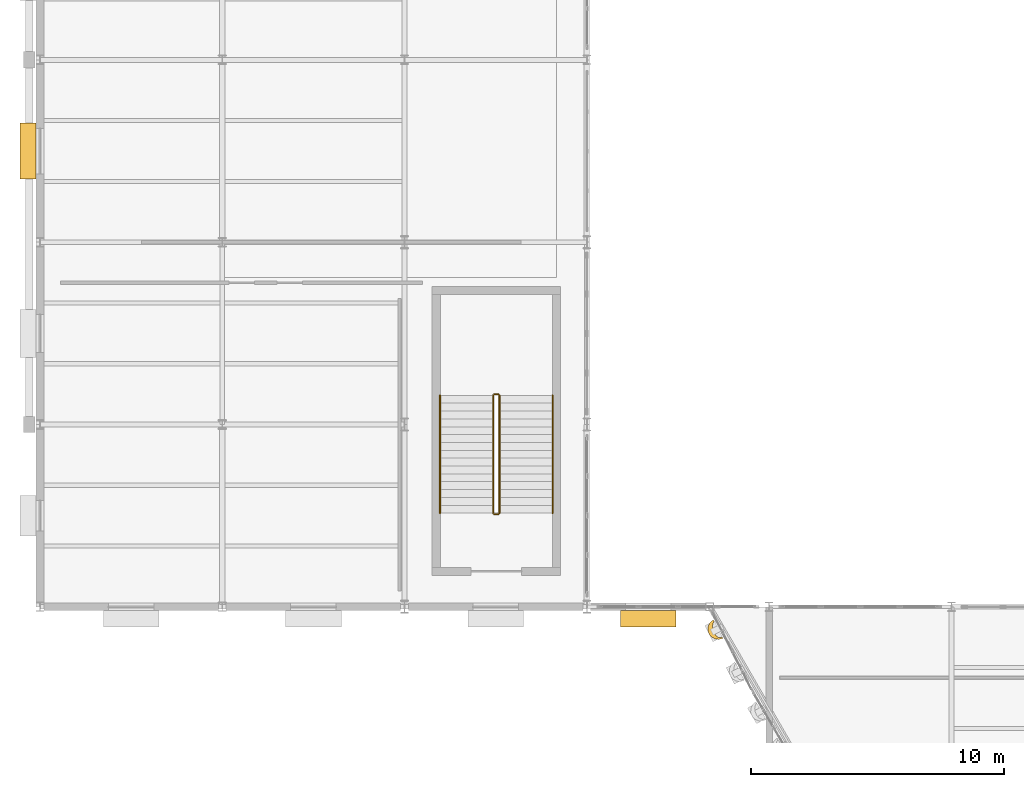
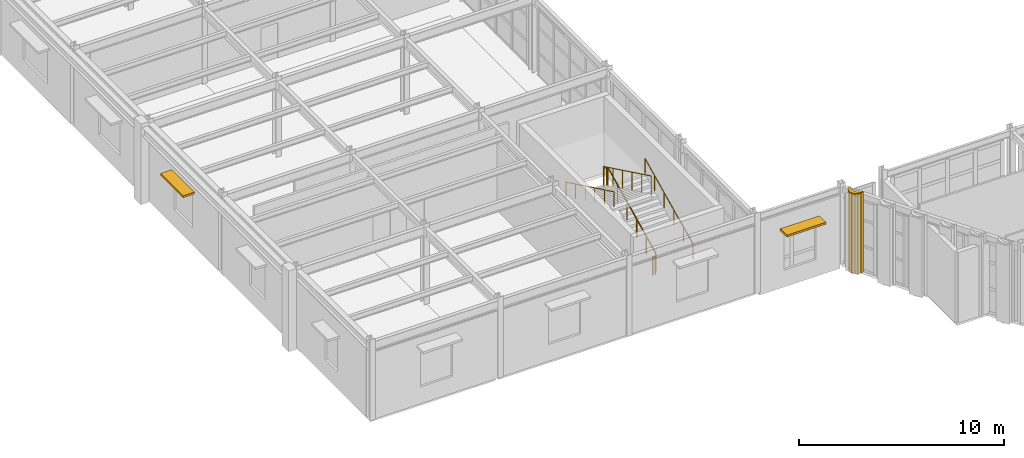
# One storey, part 108 of 121: 6 railings, 2 shading devices, 1 covering.
"""IFC4 building model written with IfcOpenShell, lengths in metres."""

from ifc_helpers import new_model, si_unit, direction, frame, origin, origin_2d, place, context, subcontext, project, spatial, polyline, rectangle, circle, outline, extrude, material, layer, layer_set, type_object, element, save


model = new_model("IFC4")

# Units and contexts
model_context = context("Model", 3, precision=1e-05, world=origin(), true_north=direction((0.0, 1.0)))
body_context = subcontext(model_context, "Body", "Model", "MODEL_VIEW")
ifc_project = project(units=[si_unit("LENGTHUNIT", "METRE"), si_unit("AREAUNIT", "SQUARE_METRE"), si_unit("VOLUMEUNIT", "CUBIC_METRE"), si_unit("PLANEANGLEUNIT", "RADIAN"), si_unit("MASSUNIT", "GRAM", prefix="KILO")], contexts=[model_context])

# Site, building, storey
site_placement = place(None, origin())
site = spatial("IfcSite", under=ifc_project, at=site_placement, CompositionType="ELEMENT")
building_placement = place(site_placement, origin())
building = spatial("IfcBuilding", under=site, at=building_placement, Name="Solvadek Multi-Sports Hall", CompositionType="ELEMENT")
storey_placement = place(building_placement, frame((0.0, 0.0, 4.800048828125)))
storey = spatial("IfcBuildingStorey", under=building, at=storey_placement, Name="L01", CompositionType="ELEMENT", Elevation=4.800048828125)

# Covering
ifc_material_1 = material(Name="Perforated champagne-bronze anodised aluminium", Category="aluminium")
ifc_layer = layer(ifc_material_1, 0.06494140625, Name="Perforated champagne-bronze anodised aluminium")
ifc_layer_set = layer_set([ifc_layer], Name="Perforated champagne-bronze anodised aluminium")
covering_type = type_object("IfcCoveringType", Name="ENV-COV-FLUTED", PredefinedType="CLADDING", material=ifc_layer_set)
covering_placement = place(storey_placement, frame((0.0, 0.0, 0.010009765625)))
element("IfcCovering", 1, at=covering_placement, inside=storey, type_object=covering_type, Name="L01 Perforated Bronze Half-Cylinder Fluted Shell #1", PredefinedType="CLADDING", context=body_context, shape_type="SweptSolid", body=[
    extrude(outline(polyline([(26.97216796875, 19.155517578125), (26.818115234375, 19.112548828125), (26.6591796875, 19.1318359375), (26.52001953125, 19.21044921875), (26.42138671875, 19.336181640625), (26.37841796875, 19.490478515625), (26.3974609375, 19.649169921875), (26.47607421875, 19.78857421875), (26.60205078125, 19.88720703125), (26.63134765625, 19.829345703125), (26.58349609375, 19.74609375), (26.56689453125, 19.62890625), (26.58349609375, 19.495361328125), (26.63134765625, 19.36572265625), (26.702880859375, 19.259765625), (26.787109375, 19.193603515625), (26.871337890625, 19.177490234375), (26.94287109375, 19.213623046875), (26.97216796875, 19.155517578125)])), origin(), (0.0, 0.0, 1.0), 4.77001953125),
])

# Shading devices
shading_device_type = type_object("IfcShadingDeviceType", Name="ENV-SHD-CHAJJA2", PredefinedType="JALOUSIE", material=ifc_material_1)
for number, where, z_axis, x_axis, name in (
    (2, (-0.469482421875, 38.39990234375, 3.119873046875), (0.0, 0.0, 1.0), (0.0, 1.0, 0.0), "L01 Chajja Solar Shading Hood #7"),
    (3, (24.02734375, 19.930419921875, 3.199951171875), (0.0, 0.0, 1.0), (1.0, 0.0, 0.0), "L01 Chajja Solar Shading Hood #54"),
):
    element("IfcShadingDevice", number, at=place(storey_placement, frame(where, z_axis=z_axis, x_axis=x_axis)), inside=storey, type_object=shading_device_type, Name=name, PredefinedType="JALOUSIE", context=body_context, shape_type="SweptSolid", body=[
        extrude(rectangle(XDim=2.199951171875, YDim=0.639892578125, at=origin_2d()), origin(), (0.0, 0.0, 1.0), 0.1201171875),
    ])

# Railings
ifc_material_2 = material(Name="Steel E250 (250 MPa)", Category="steel")
railing_type_1 = type_object("IfcRailingType", Name="INT-RAL-GRD115", PredefinedType="BALUSTRADE", material=ifc_material_2)
railing_1_placement = place(storey_placement, frame((18.14990234375, 24.10009765625, 0.14990234375)))
element("IfcRailing", 4, at=railing_1_placement, inside=storey, type_object=railing_type_1, Name="L01 ST-01 stair guard 1", PredefinedType="BALUSTRADE", context=body_context, shape_type="SweptSolid", body=[
    extrude(circle(Radius=0.02392578125, at=origin_2d()), frame((0.0, 0.0, 1.076171875), z_axis=(0.0, 0.900155664878, 0.435568340204), x_axis=(-1.0, 0.0, 0.0)), (0.0, 0.0, 1.0), 5.165771484375),
    extrude(circle(Radius=0.02099609375, at=origin_2d()), origin(), (0.0, 0.0, 1.0), 1.052001953125),
    extrude(circle(Radius=0.02099609375, at=origin_2d()), frame((0.0, 0.929931640625, 0.449951171875)), (0.0, 0.0, 1.0), 1.052001953125),
    extrude(circle(Radius=0.02099609375, at=origin_2d()), frame((0.0, 1.85986328125, 0.89990234375)), (0.0, 0.0, 1.0), 1.052001953125),
    extrude(circle(Radius=0.02099609375, at=origin_2d()), frame((0.0, 2.7900390625, 1.35009765625)), (0.0, 0.0, 1.0), 1.052001953125),
    extrude(circle(Radius=0.02099609375, at=origin_2d()), frame((0.0, 3.719970703125, 1.800048828125)), (0.0, 0.0, 1.0), 1.052001953125),
    extrude(circle(Radius=0.02099609375, at=origin_2d()), frame((0.0, 4.64990234375, 2.25)), (0.0, 0.0, 1.0), 1.052001953125),
])
railing_2_placement = place(storey_placement, frame((18.10009765625, 28.800048828125, 2.39990234375)))
element("IfcRailing", 5, at=railing_2_placement, inside=storey, type_object=railing_type_1, Name="L01 ST-01 stair guard 2", PredefinedType="BALUSTRADE", context=body_context, shape_type="SweptSolid", body=[
    extrude(circle(Radius=0.02392578125, at=origin_2d()), frame((0.0, 0.0, 1.076171875), z_axis=(-1.0, 0.0, 0.0), x_axis=(0.0, -1.0, 0.0)), (0.0, 0.0, 1.0), 0.150146484375),
    extrude(circle(Radius=0.02099609375, at=origin_2d()), origin(), (0.0, 0.0, 1.0), 1.052001953125),
    extrude(circle(Radius=0.02099609375, at=origin_2d()), frame((-0.150146484375, 0.0, 0.0)), (0.0, 0.0, 1.0), 1.052001953125),
])
railing_3_placement = place(storey_placement, frame((17.89990234375, 28.75, 2.550048828125)))
element("IfcRailing", 6, at=railing_3_placement, inside=storey, type_object=railing_type_1, Name="L01 ST-01 stair guard 3", PredefinedType="BALUSTRADE", context=body_context, shape_type="SweptSolid", body=[
    extrude(circle(Radius=0.02392578125, at=origin_2d()), frame((0.0, 0.0, 1.076171875), z_axis=(0.0, -0.900155664878, 0.435568340204), x_axis=(1.0, 0.0, 0.0)), (0.0, 0.0, 1.0), 5.165771484375),
    extrude(circle(Radius=0.02099609375, at=origin_2d()), origin(), (0.0, 0.0, 1.0), 1.052001953125),
    extrude(circle(Radius=0.02099609375, at=origin_2d()), frame((0.0, -0.929931640625, 0.449951171875)), (0.0, 0.0, 1.0), 1.052001953125),
    extrude(circle(Radius=0.02099609375, at=origin_2d()), frame((0.0, -1.85986328125, 0.89990234375)), (0.0, 0.0, 1.0), 1.052001953125),
    extrude(circle(Radius=0.02099609375, at=origin_2d()), frame((0.0, -2.7900390625, 1.35009765625)), (0.0, 0.0, 1.0), 1.052001953125),
    extrude(circle(Radius=0.02099609375, at=origin_2d()), frame((0.0, -3.719970703125, 1.800048828125)), (0.0, 0.0, 1.0), 1.052001953125),
    extrude(circle(Radius=0.02099609375, at=origin_2d()), frame((0.0, -4.64990234375, 2.25)), (0.0, 0.0, 1.0), 1.052001953125),
])
railing_4_placement = place(storey_placement, frame((18.10009765625, 24.050048828125, 0.0)))
element("IfcRailing", 7, at=railing_4_placement, inside=storey, type_object=railing_type_1, Name="L01 ST-01 stair guard 4", PredefinedType="BALUSTRADE", context=body_context, shape_type="SweptSolid", body=[
    extrude(circle(Radius=0.02392578125, at=origin_2d()), frame((0.0, 0.0, 1.076171875), z_axis=(-1.0, 0.0, 0.0), x_axis=(0.0, -1.0, 0.0)), (0.0, 0.0, 1.0), 0.150146484375),
    extrude(circle(Radius=0.02099609375, at=origin_2d()), origin(), (0.0, 0.0, 1.0), 1.052001953125),
    extrude(circle(Radius=0.02099609375, at=origin_2d()), frame((-0.150146484375, 0.0, 0.0)), (0.0, 0.0, 1.0), 1.052001953125),
])
railing_type_2 = type_object("IfcRailingType", Name="INT-RAL-HND090", PredefinedType="HANDRAIL", material=ifc_material_2)
railing_5_placement = place(storey_placement, frame((20.25, 24.10009765625, 0.14990234375)))
element("IfcRailing", 8, at=railing_5_placement, inside=storey, type_object=railing_type_2, Name="L01 ST-01 stair handrail 1", PredefinedType="HANDRAIL", context=body_context, shape_type="SweptSolid", body=[
    extrude(circle(Radius=0.02392578125, at=origin_2d()), frame((0.0, 0.0, 0.8759765625), z_axis=(0.0, 0.900155664878, 0.435568340204), x_axis=(-1.0, 0.0, 0.0)), (0.0, 0.0, 1.0), 5.165771484375),
    extrude(circle(Radius=0.02099609375, at=origin_2d()), origin(), (0.0, 0.0, 1.0), 0.851806640625),
    extrude(circle(Radius=0.02099609375, at=origin_2d()), frame((0.0, 0.929931640625, 0.449951171875)), (0.0, 0.0, 1.0), 0.851806640625),
    extrude(circle(Radius=0.02099609375, at=origin_2d()), frame((0.0, 1.85986328125, 0.89990234375)), (0.0, 0.0, 1.0), 0.851806640625),
    extrude(circle(Radius=0.02099609375, at=origin_2d()), frame((0.0, 2.7900390625, 1.35009765625)), (0.0, 0.0, 1.0), 0.851806640625),
    extrude(circle(Radius=0.02099609375, at=origin_2d()), frame((0.0, 3.719970703125, 1.800048828125)), (0.0, 0.0, 1.0), 0.851806640625),
    extrude(circle(Radius=0.02099609375, at=origin_2d()), frame((0.0, 4.64990234375, 2.25)), (0.0, 0.0, 1.0), 0.851806640625),
])
railing_6_placement = place(storey_placement, frame((15.800048828125, 28.75, 2.550048828125)))
element("IfcRailing", 9, at=railing_6_placement, inside=storey, type_object=railing_type_2, Name="L01 ST-01 stair handrail 2", PredefinedType="HANDRAIL", context=body_context, shape_type="SweptSolid", body=[
    extrude(circle(Radius=0.02392578125, at=origin_2d()), frame((0.0, 0.0, 0.8759765625), z_axis=(0.0, -0.900155664878, 0.435568340204), x_axis=(1.0, 0.0, 0.0)), (0.0, 0.0, 1.0), 5.165771484375),
    extrude(circle(Radius=0.02099609375, at=origin_2d()), origin(), (0.0, 0.0, 1.0), 0.851806640625),
    extrude(circle(Radius=0.02099609375, at=origin_2d()), frame((0.0, -0.929931640625, 0.449951171875)), (0.0, 0.0, 1.0), 0.851806640625),
    extrude(circle(Radius=0.02099609375, at=origin_2d()), frame((0.0, -1.85986328125, 0.89990234375)), (0.0, 0.0, 1.0), 0.851806640625),
    extrude(circle(Radius=0.02099609375, at=origin_2d()), frame((0.0, -2.7900390625, 1.35009765625)), (0.0, 0.0, 1.0), 0.851806640625),
    extrude(circle(Radius=0.02099609375, at=origin_2d()), frame((0.0, -3.719970703125, 1.800048828125)), (0.0, 0.0, 1.0), 0.851806640625),
    extrude(circle(Radius=0.02099609375, at=origin_2d()), frame((0.0, -4.64990234375, 2.25)), (0.0, 0.0, 1.0), 0.851806640625),
])

save(model, "model.ifc")
